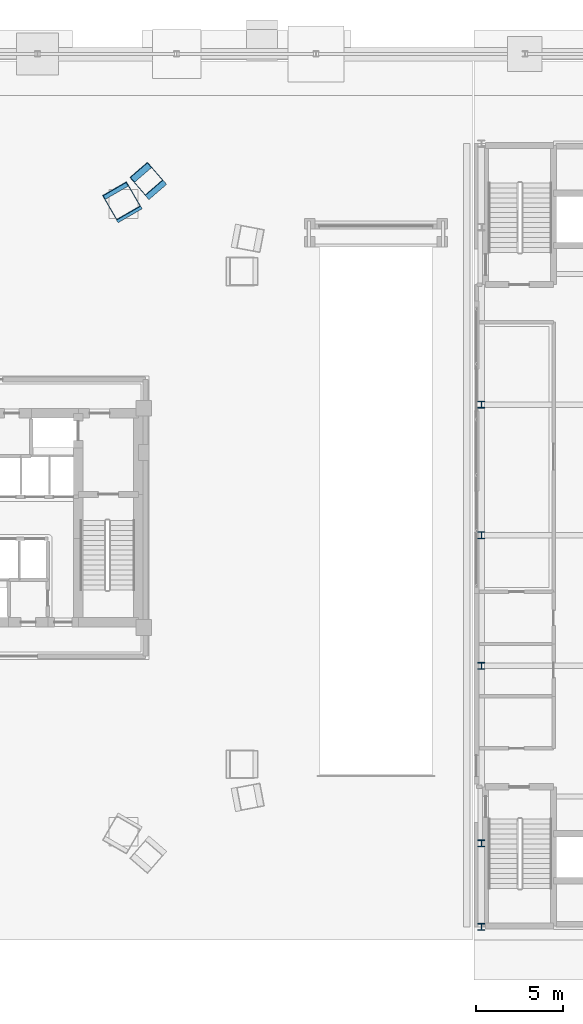
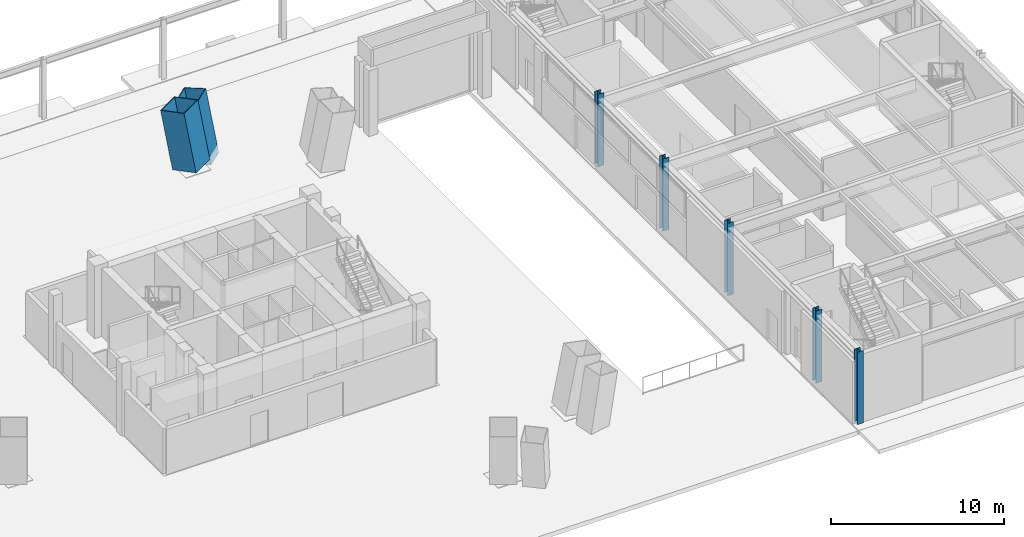
# One storey, part 2 of 21: 7 columns.
"""IFC4 building model written with IfcOpenShell, lengths in metres."""

from ifc_helpers import new_model, si_unit, direction, frame, origin, origin_2d, place, context, subcontext, project, spatial, hollow_rectangle, i_section, extrude, material, material_profile, profile_set, type_object, element, save


model = new_model("IFC4")

# Units and contexts
model_context = context("Model", 3, precision=1e-05, world=origin(), true_north=direction((0.0, 1.0)))
body_context = subcontext(model_context, "Body", "Model", "MODEL_VIEW")
ifc_project = project(units=[si_unit("LENGTHUNIT", "METRE"), si_unit("AREAUNIT", "SQUARE_METRE"), si_unit("VOLUMEUNIT", "CUBIC_METRE"), si_unit("PLANEANGLEUNIT", "RADIAN"), si_unit("MASSUNIT", "GRAM", prefix="KILO")], contexts=[model_context])

# Site, building, storey
site_placement = place(None, origin())
site = spatial("IfcSite", under=ifc_project, at=site_placement, CompositionType="ELEMENT")
building_placement = place(site_placement, origin())
building = spatial("IfcBuilding", under=site, at=building_placement, Name="Mersakhor Tower and Convention Hall", CompositionType="ELEMENT")
storey_placement = place(building_placement, origin())
storey = spatial("IfcBuildingStorey", under=building, at=storey_placement, Name="L00", CompositionType="ELEMENT", Elevation=0.0)

# Columns
ifc_material_1 = material(Name="Concrete C70/85 in S460M steel box", Category="concrete")
ifc_material_profile_1 = material_profile(ifc_material_1, hollow_rectangle(XDim=1.35009765625, YDim=1.35009765625, WallThickness=0.035888671875, at=origin_2d()), Name="SHS 1350x1350x36")
ifc_profile_set_1 = profile_set([ifc_material_profile_1], Name="Concrete C70/85 in S460M steel box")
column_type_1 = type_object("IfcColumnType", Name="COL-CFT-1350", PredefinedType="COLUMN", material=ifc_profile_set_1)
column_1_placement = place(storey_placement, frame((36.478515625, 45.971923828125, -0.64990234375), z_axis=(-0.117328581098, 0.135990727174, 0.983738037376), x_axis=(-0.757147785322, -0.653243623147, 0.0)))
element("IfcColumn", 1, at=column_1_placement, inside=storey, type_object=column_type_1, Name="L00 Sloping Pilotis Y-Branch Mega-Column PIL-YBR-F1-B", PredefinedType="COLUMN", context=body_context, shape_type="SweptSolid", body=[
    extrude(hollow_rectangle(XDim=1.35009765625, YDim=1.35009765625, WallThickness=0.035888671875, at=origin_2d()), origin(), (0.0, 0.0, 1.0), 4.421875),
])
ifc_material_2 = material(Name="Concrete C70/85 in S460M steel box", Category="concrete")
ifc_material_profile_2 = material_profile(ifc_material_2, hollow_rectangle(XDim=1.60009765625, YDim=1.60009765625, WallThickness=0.0400390625, at=origin_2d()), Name="SHS 1600x1600x40")
ifc_profile_set_2 = profile_set([ifc_material_profile_2], Name="Concrete C70/85 in S460M steel box")
column_type_2 = type_object("IfcColumnType", Name="COL-CFT-1600", PredefinedType="COLUMN", material=ifc_profile_set_2)
column_2_placement = place(storey_placement, frame((34.933349609375, 44.78271484375, 0.18994140625), z_axis=(-0.100258779999, 0.173541280572, 0.979709957574), x_axis=(-0.865885638426, -0.500242002602, 0.0)))
element("IfcColumn", 2, at=column_2_placement, inside=storey, type_object=column_type_2, Name="L00 Sloping Pilotis Mega-Column PIL-F1-2", PredefinedType="COLUMN", context=body_context, shape_type="SweptSolid", body=[
    extrude(hollow_rectangle(XDim=1.60009765625, YDim=1.60009765625, WallThickness=0.0400390625, at=origin_2d()), origin(), (0.0, 0.0, 1.0), 3.9912109375),
])
ifc_material_3 = material(Name="Steel S355", Category="steel")
ifc_material_profile_3 = material_profile(ifc_material_3, i_section(OverallWidth=0.39892578125, OverallDepth=0.3935546875, WebThickness=0.022705078125, FlangeThickness=0.03662109375, at=origin_2d()), Name="UC 356x406x287")
ifc_profile_set_3 = profile_set([ifc_material_profile_3], Name="Steel S355")
column_type_3 = type_object("IfcColumnType", Name="COL-STL-UC356", PredefinedType="COLUMN", material=ifc_profile_set_3)
for number, where, z_axis, x_axis, name in (
    (3, (55.5, 3.25, 0.0), (0.0, 0.0, 1.0), (1.0, 0.0, 0.0), "Convention L00 Perimeter Column SC-W1"),
    (4, (55.5, 8.050048828125, 0.0), (0.0, 0.0, 1.0), (1.0, 0.0, 0.0), "Convention L00 Perimeter Column SC-W2"),
    (5, (55.5, 18.25, 0.0), (0.0, 0.0, 1.0), (1.0, 0.0, 0.0), "Convention L00 Perimeter Column SC-W3"),
    (6, (55.5, 25.75, 0.0), (0.0, 0.0, 1.0), (1.0, 0.0, 0.0), "Convention L00 Perimeter Column SC-W4"),
    (7, (55.5, 33.25, 0.0), (0.0, 0.0, 1.0), (1.0, 0.0, 0.0), "Convention L00 Perimeter Column SC-W5"),
):
    element("IfcColumn", number, at=place(storey_placement, frame(where, z_axis=z_axis, x_axis=x_axis)), inside=storey, type_object=column_type_3, Name=name, PredefinedType="COLUMN", context=body_context, shape_type="SweptSolid", body=[
        extrude(i_section(OverallWidth=0.39892578125, OverallDepth=0.3935546875, WebThickness=0.022705078125, FlangeThickness=0.03662109375, at=origin_2d()), origin(), (0.0, 0.0, 1.0), 5.10009765625),
    ])

save(model, "model.ifc")
